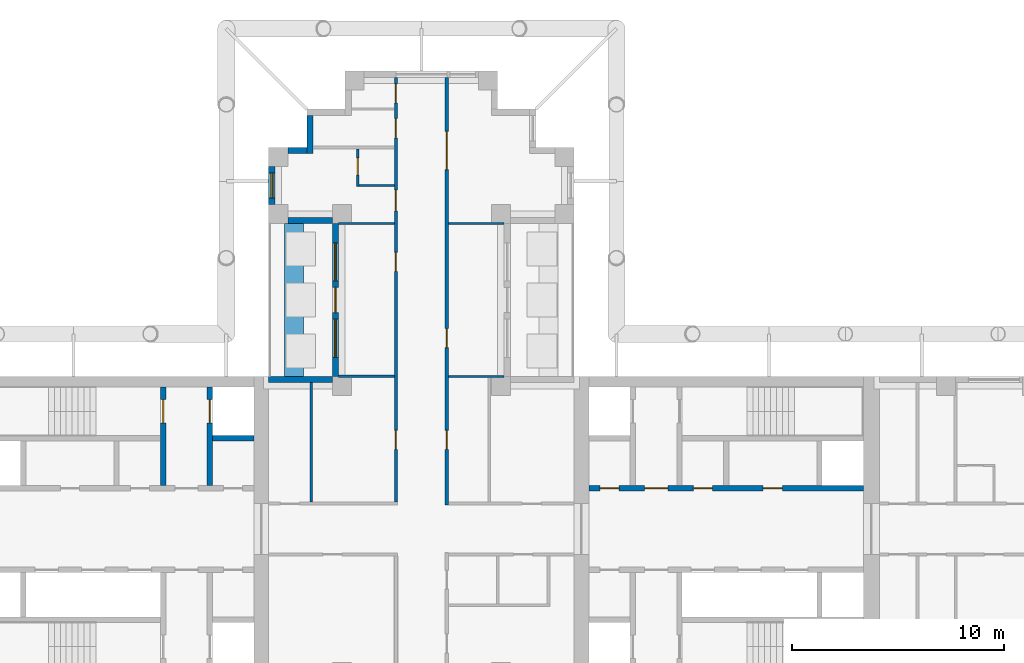
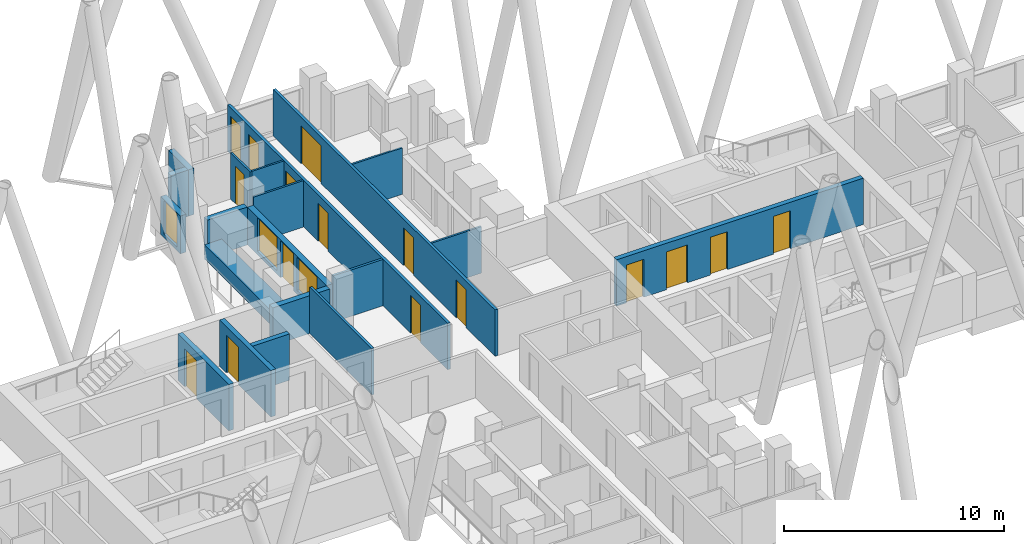
# One storey, part 8 of 14: 20 walls, 16 doors, 3 windows, 19 openings.
"""IFC4 building model written with IfcOpenShell, lengths in metres."""

from ifc_helpers import new_model, si_unit, direction, frame, frame_2d, origin, place, context, subcontext, project, spatial, rectangle, extrude, material, layer, layer_set, type_object, element, fill, save


model = new_model("IFC4")

# Units and contexts
model_context = context("Model", 3, precision=1e-05, world=origin(), true_north=direction((0.0, 1.0)))
body_context = subcontext(model_context, "Body", "Model", "MODEL_VIEW")
ifc_project = project(units=[si_unit("LENGTHUNIT", "METRE"), si_unit("AREAUNIT", "SQUARE_METRE"), si_unit("VOLUMEUNIT", "CUBIC_METRE"), si_unit("PLANEANGLEUNIT", "RADIAN"), si_unit("MASSUNIT", "GRAM", prefix="KILO")], contexts=[model_context])

# Site, building, storey
site_placement = place(None, origin())
site = spatial("IfcSite", under=ifc_project, at=site_placement, CompositionType="ELEMENT")
building_placement = place(site_placement, origin())
building = spatial("IfcBuilding", under=site, at=building_placement, Name="Fustian Cross Tower", CompositionType="ELEMENT")
storey_placement = place(building_placement, frame((0.0, 0.0, 78.89990234375)))
storey = spatial("IfcBuildingStorey", under=building, at=storey_placement, Name="L24", CompositionType="ELEMENT", Elevation=78.89990234375)

# Wall, openings, doors
ifc_material_1 = material(Name="Plasterboard on steel stud", Category="steel")
ifc_layer_1 = layer(ifc_material_1, 0.14990234375)
ifc_layer_set_1 = layer_set([ifc_layer_1], Name="Plasterboard on steel stud")
wall_type_1 = type_object("IfcWallType", Name="COMPARTMENT WALL 150 EI 60", PredefinedType="PARTITIONING", material=ifc_layer_set_1)
wall_1_placement = place(storey_placement, frame((-1.199951171875, 1.27490234375, 0.0), z_axis=(0.0, 0.0, 1.0), x_axis=(0.0, 1.0, 0.0)))
wall_1 = element("IfcWall", 1, at=wall_1_placement, inside=storey, type_object=wall_type_1, Name="Partition 35", PredefinedType="PARTITIONING", context=body_context, shape_type="SweptSolid", body=[
    extrude(rectangle(XDim=20.025146484375, YDim=0.14990234375, at=frame_2d((10.0126953125, 0.0))), origin(), (0.0, 0.0, 1.0), 2.5751953125),
])
opening_1_placement = place(wall_1_placement, frame((2.47509765625, 0.0, 0.0)))
opening_1 = element("IfcOpeningElement", 2, at=opening_1_placement, cuts=wall_1, Name="Opening D12003", PredefinedType="OPENING", context=body_context, shape_type="SweptSolid", body=[
    extrude(rectangle(XDim=0.89990234375, YDim=2.10009765625, at=frame_2d((0.449951171875, 1.050048828125))), frame((0.0, 0.0849609375, 0.0), z_axis=(0.0, -1.0, 0.0), x_axis=(1.0, 0.0, 0.0)), (0.0, 0.0, 1.0), 0.169921875),
])
opening_2_placement = place(wall_1_placement, frame((10.875, 0.0, 0.0)))
opening_2 = element("IfcOpeningElement", 3, at=opening_2_placement, cuts=wall_1, Name="Opening D12021", PredefinedType="OPENING", context=body_context, shape_type="SweptSolid", body=[
    extrude(rectangle(XDim=0.89990234375, YDim=2.10009765625, at=frame_2d((0.449951171875, 1.050048828125))), frame((0.0, 0.0849609375, 0.0), z_axis=(0.0, -1.0, 0.0), x_axis=(1.0, 0.0, 0.0)), (0.0, 0.0, 1.0), 0.169921875),
])
opening_3_placement = place(wall_1_placement, frame((13.72509765625, 0.0, 0.0)))
opening_3 = element("IfcOpeningElement", 4, at=opening_3_placement, cuts=wall_1, Name="Opening D12023", PredefinedType="OPENING", context=body_context, shape_type="SweptSolid", body=[
    extrude(rectangle(XDim=1.0, YDim=2.10009765625, at=frame_2d((0.5, 1.050048828125))), frame((0.0, 0.0849609375, 0.0), z_axis=(0.0, -1.0, 0.0), x_axis=(1.0, 0.0, 0.0)), (0.0, 0.0, 1.0), 0.169921875),
])
opening_4_placement = place(wall_1_placement, frame((17.175048828125, 0.0, 0.0)))
opening_4 = element("IfcOpeningElement", 5, at=opening_4_placement, cuts=wall_1, Name="Opening D12024", PredefinedType="OPENING", context=body_context, shape_type="SweptSolid", body=[
    extrude(rectangle(XDim=0.89990234375, YDim=2.10009765625, at=frame_2d((0.449951171875, 1.050048828125))), frame((0.0, 0.0849609375, 0.0), z_axis=(0.0, -1.0, 0.0), x_axis=(1.0, 0.0, 0.0)), (0.0, 0.0, 1.0), 0.169921875),
])
opening_5_placement = place(wall_1_placement, frame((18.824951171875, 0.0, 0.0)))
opening_5 = element("IfcOpeningElement", 6, at=opening_5_placement, cuts=wall_1, Name="Opening D12025", PredefinedType="OPENING", context=body_context, shape_type="SweptSolid", body=[
    extrude(rectangle(XDim=0.89990234375, YDim=2.10009765625, at=frame_2d((0.449951171875, 1.050048828125))), frame((0.0, 0.0849609375, 0.0), z_axis=(0.0, -1.0, 0.0), x_axis=(1.0, 0.0, 0.0)), (0.0, 0.0, 1.0), 0.169921875),
])
ifc_material_2 = material(Name="Timber fire door set", Category="wood")
door_type_1 = type_object("IfcDoorType", Name="FIRE SWING DOOR 1000 FD30S", OperationType="SINGLE_SWING_LEFT", PredefinedType="DOOR", material=ifc_material_2)
door_1_placement = place(opening_3_placement, origin())
door_1 = element("IfcDoor", 7, at=door_1_placement, inside=storey, type_object=door_type_1, Name="Door D12023", OperationType="SINGLE_SWING_RIGHT", OverallHeight=2.10009765625, OverallWidth=1.0, PredefinedType="DOOR", context=body_context, shape_type="SweptSolid", body=[
    extrude(rectangle(XDim=1.0, YDim=2.10009765625, at=frame_2d((0.5, 1.050048828125))), frame((0.0, 0.02490234375, 0.0), z_axis=(0.0, -1.0, 0.0), x_axis=(1.0, 0.0, 0.0)), (0.0, 0.0, 1.0), 0.050048828125),
])
fill(opening_3, door_1)
ifc_material_3 = material(Name="Timber fire door set", Category="wood")
door_type_2 = type_object("IfcDoorType", Name="FIRE SWING DOOR 900 FD30S", OperationType="SINGLE_SWING_LEFT", PredefinedType="DOOR", material=ifc_material_3)
door_2_placement = place(opening_1_placement, origin())
door_2 = element("IfcDoor", 8, at=door_2_placement, inside=storey, type_object=door_type_2, Name="Door D12003", OperationType="SINGLE_SWING_LEFT", OverallHeight=2.10009765625, OverallWidth=0.89990234375, PredefinedType="DOOR", context=body_context, shape_type="SweptSolid", body=[
    extrude(rectangle(XDim=0.89990234375, YDim=2.10009765625, at=frame_2d((0.449951171875, 1.050048828125))), frame((0.0, 0.02490234375, 0.0), z_axis=(0.0, -1.0, 0.0), x_axis=(1.0, 0.0, 0.0)), (0.0, 0.0, 1.0), 0.050048828125),
])
fill(opening_1, door_2)
door_3_placement = place(opening_2_placement, origin())
door_3 = element("IfcDoor", 9, at=door_3_placement, inside=storey, type_object=door_type_2, Name="Door D12021", OperationType="SINGLE_SWING_RIGHT", OverallHeight=2.10009765625, OverallWidth=0.89990234375, PredefinedType="DOOR", context=body_context, shape_type="SweptSolid", body=[
    extrude(rectangle(XDim=0.89990234375, YDim=2.10009765625, at=frame_2d((0.449951171875, 1.050048828125))), frame((0.0, 0.02490234375, 0.0), z_axis=(0.0, -1.0, 0.0), x_axis=(1.0, 0.0, 0.0)), (0.0, 0.0, 1.0), 0.050048828125),
])
fill(opening_2, door_3)
door_4_placement = place(opening_4_placement, origin())
door_4 = element("IfcDoor", 10, at=door_4_placement, inside=storey, type_object=door_type_2, Name="Door D12024", OperationType="SINGLE_SWING_RIGHT", OverallHeight=2.10009765625, OverallWidth=0.89990234375, PredefinedType="DOOR", context=body_context, shape_type="SweptSolid", body=[
    extrude(rectangle(XDim=0.89990234375, YDim=2.10009765625, at=frame_2d((0.449951171875, 1.050048828125))), frame((0.0, 0.02490234375, 0.0), z_axis=(0.0, -1.0, 0.0), x_axis=(1.0, 0.0, 0.0)), (0.0, 0.0, 1.0), 0.050048828125),
])
fill(opening_4, door_4)
door_5_placement = place(opening_5_placement, origin())
door_5 = element("IfcDoor", 11, at=door_5_placement, inside=storey, type_object=door_type_2, Name="Door D12025", OperationType="SINGLE_SWING_LEFT", OverallHeight=2.10009765625, OverallWidth=0.89990234375, PredefinedType="DOOR", context=body_context, shape_type="SweptSolid", body=[
    extrude(rectangle(XDim=0.89990234375, YDim=2.10009765625, at=frame_2d((0.449951171875, 1.050048828125))), frame((0.0, 0.02490234375, 0.0), z_axis=(0.0, -1.0, 0.0), x_axis=(1.0, 0.0, 0.0)), (0.0, 0.0, 1.0), 0.050048828125),
])
fill(opening_5, door_5)

wall_2_placement = place(storey_placement, frame((1.199951171875, 1.125, 0.0), z_axis=(0.0, 0.0, 1.0), x_axis=(0.0, 1.0, 0.0)))
wall_2 = element("IfcWall", 12, at=wall_2_placement, inside=storey, type_object=wall_type_1, Name="Partition 46", PredefinedType="PARTITIONING", context=body_context, shape_type="SweptSolid", body=[
    extrude(rectangle(XDim=20.175048828125, YDim=0.14990234375, at=frame_2d((10.08740234375, 0.0))), origin(), (0.0, 0.0, 1.0), 2.5751953125),
])
opening_6_placement = place(wall_2_placement, frame((2.625, 0.0, 0.0)))
opening_6 = element("IfcOpeningElement", 13, at=opening_6_placement, cuts=wall_2, Name="Opening D12001", PredefinedType="OPENING", context=body_context, shape_type="SweptSolid", body=[
    extrude(rectangle(XDim=0.89990234375, YDim=2.10009765625, at=frame_2d((0.449951171875, 1.050048828125))), frame((0.0, 0.0849609375, 0.0), z_axis=(0.0, -1.0, 0.0), x_axis=(1.0, 0.0, 0.0)), (0.0, 0.0, 1.0), 0.169921875),
])
opening_7_placement = place(wall_2_placement, frame((7.425048828125, 0.0, 0.0)))
opening_7 = element("IfcOpeningElement", 14, at=opening_7_placement, cuts=wall_2, Name="Opening D12026", PredefinedType="OPENING", context=body_context, shape_type="SweptSolid", body=[
    extrude(rectangle(XDim=0.89990234375, YDim=2.10009765625, at=frame_2d((0.449951171875, 1.050048828125))), frame((0.0, 0.0849609375, 0.0), z_axis=(0.0, -1.0, 0.0), x_axis=(1.0, 0.0, 0.0)), (0.0, 0.0, 1.0), 0.169921875),
])
opening_8_placement = place(wall_2_placement, frame((15.824951171875, 0.0, 0.0)))
opening_8 = element("IfcOpeningElement", 15, at=opening_8_placement, cuts=wall_2, Name="Opening D12027", PredefinedType="OPENING", context=body_context, shape_type="SweptSolid", body=[
    extrude(rectangle(XDim=1.800048828125, YDim=2.10009765625, at=frame_2d((0.89990234375, 1.050048828125))), frame((0.0, 0.0849609375, 0.0), z_axis=(0.0, -1.0, 0.0), x_axis=(1.0, 0.0, 0.0)), (0.0, 0.0, 1.0), 0.169921875),
])
ifc_material_4 = material(Name="Timber fire door set", Category="wood")
door_type_3 = type_object("IfcDoorType", Name="FIRE DOUBLE DOOR 1800 FD30S", OperationType="DOUBLE_DOOR_DOUBLE_SWING", PredefinedType="DOOR", material=ifc_material_4)
door_6_placement = place(opening_8_placement, origin())
door_6 = element("IfcDoor", 16, at=door_6_placement, inside=storey, type_object=door_type_3, Name="Door D12027", OperationType="DOUBLE_DOOR_DOUBLE_SWING", OverallHeight=2.10009765625, OverallWidth=1.800048828125, PredefinedType="DOOR", context=body_context, shape_type="SweptSolid", body=[
    extrude(rectangle(XDim=1.800048828125, YDim=2.10009765625, at=frame_2d((0.89990234375, 1.050048828125))), frame((0.0, 0.02490234375, 0.0), z_axis=(0.0, -1.0, 0.0), x_axis=(1.0, 0.0, 0.0)), (0.0, 0.0, 1.0), 0.050048828125),
])
fill(opening_8, door_6)
door_7_placement = place(opening_6_placement, frame((0.89990234375, 0.0, 0.0), z_axis=(0.0, 0.0, 1.0), x_axis=(-1.0, 0.0, 0.0)))
door_7 = element("IfcDoor", 17, at=door_7_placement, inside=storey, type_object=door_type_2, Name="Door D12001", OperationType="SINGLE_SWING_RIGHT", OverallHeight=2.10009765625, OverallWidth=0.89990234375, PredefinedType="DOOR", context=body_context, shape_type="SweptSolid", body=[
    extrude(rectangle(XDim=0.89990234375, YDim=2.10009765625, at=frame_2d((0.449951171875, 1.050048828125))), frame((0.0, 0.02490234375, 0.0), z_axis=(0.0, -1.0, 0.0), x_axis=(1.0, 0.0, 0.0)), (0.0, 0.0, 1.0), 0.050048828125),
])
fill(opening_6, door_7)
door_8_placement = place(opening_7_placement, frame((0.89990234375, 0.0, 0.0), z_axis=(0.0, 0.0, 1.0), x_axis=(-1.0, 0.0, 0.0)))
door_8 = element("IfcDoor", 18, at=door_8_placement, inside=storey, type_object=door_type_2, Name="Door D12026", OperationType="SINGLE_SWING_RIGHT", OverallHeight=2.10009765625, OverallWidth=0.89990234375, PredefinedType="DOOR", context=body_context, shape_type="SweptSolid", body=[
    extrude(rectangle(XDim=0.89990234375, YDim=2.10009765625, at=frame_2d((0.449951171875, 1.050048828125))), frame((0.0, 0.02490234375, 0.0), z_axis=(0.0, -1.0, 0.0), x_axis=(1.0, 0.0, 0.0)), (0.0, 0.0, 1.0), 0.050048828125),
])
fill(opening_7, door_8)

ifc_material_5 = material(Name="Concrete C50/60", Category="concrete")
ifc_layer_2 = layer(ifc_material_5, 0.25)
ifc_layer_set_2 = layer_set([ifc_layer_2], Name="Concrete C50/60")
wall_type_2 = type_object("IfcWallType", Name="CORE LOBBY WALL 250 C50/60", PredefinedType="SHEAR", material=ifc_layer_set_2)
wall_3_placement = place(storey_placement, frame((7.89990234375, 1.925048828125, 0.0), z_axis=(0.0, 0.0, 1.0), x_axis=(1.0, 0.0, 0.0)))
wall_3 = element("IfcWall", 19, at=wall_3_placement, inside=storey, type_object=wall_type_2, Name="Core lobby wall", PredefinedType="SHEAR", context=body_context, shape_type="SweptSolid", body=[
    extrude(rectangle(XDim=12.9501953125, YDim=0.25, at=frame_2d((6.47509765625, 0.0))), origin(), (0.0, 0.0, 1.0), 2.5751953125),
])
opening_9_placement = place(wall_3_placement, frame((0.52490234375, 0.0, 0.0)))
opening_9 = element("IfcOpeningElement", 20, at=opening_9_placement, cuts=wall_3, Name="Opening CD-10-08", PredefinedType="OPENING", context=body_context, shape_type="SweptSolid", body=[
    extrude(rectangle(XDim=0.89990234375, YDim=2.10009765625, at=frame_2d((0.449951171875, 1.050048828125))), frame((0.0, 0.135009765625, 0.0), z_axis=(0.0, -1.0, 0.0), x_axis=(1.0, 0.0, 0.0)), (0.0, 0.0, 1.0), 0.27001953125),
])
opening_10_placement = place(wall_3_placement, frame((2.625, 0.0, 0.0)))
opening_10 = element("IfcOpeningElement", 21, at=opening_10_placement, cuts=wall_3, Name="Opening CD-10-10", PredefinedType="OPENING", context=body_context, shape_type="SweptSolid", body=[
    extrude(rectangle(XDim=1.10009765625, YDim=2.10009765625, at=frame_2d((0.550048828125, 1.050048828125))), frame((0.0, 0.135009765625, 0.0), z_axis=(0.0, -1.0, 0.0), x_axis=(1.0, 0.0, 0.0)), (0.0, 0.0, 1.0), 0.27001953125),
])
opening_11_placement = place(wall_3_placement, frame((4.925048828125, 0.0, 0.0)))
opening_11 = element("IfcOpeningElement", 22, at=opening_11_placement, cuts=wall_3, Name="Opening CD-10-14", PredefinedType="OPENING", context=body_context, shape_type="SweptSolid", body=[
    extrude(rectangle(XDim=0.89990234375, YDim=2.10009765625, at=frame_2d((0.449951171875, 1.050048828125))), frame((0.0, 0.135009765625, 0.0), z_axis=(0.0, -1.0, 0.0), x_axis=(1.0, 0.0, 0.0)), (0.0, 0.0, 1.0), 0.27001953125),
])
opening_12_placement = place(wall_3_placement, frame((8.22509765625, 0.0, 0.0)))
opening_12 = element("IfcOpeningElement", 23, at=opening_12_placement, cuts=wall_3, Name="Opening CD-10-15", PredefinedType="OPENING", context=body_context, shape_type="SweptSolid", body=[
    extrude(rectangle(XDim=0.89990234375, YDim=2.10009765625, at=frame_2d((0.449951171875, 1.050048828125))), frame((0.0, 0.135009765625, 0.0), z_axis=(0.0, -1.0, 0.0), x_axis=(1.0, 0.0, 0.0)), (0.0, 0.0, 1.0), 0.27001953125),
])
ifc_material_6 = material(Name="Steel", Category="steel")
door_type_4 = type_object("IfcDoorType", Name="FIRE DOOR FD30S 900X2100", OperationType="SINGLE_SWING_LEFT", PredefinedType="DOOR", material=ifc_material_6)
door_9_placement = place(opening_11_placement, origin())
door_9 = element("IfcDoor", 24, at=door_9_placement, inside=storey, type_object=door_type_4, Name="Core door CD-10-14", OperationType="SINGLE_SWING_LEFT", OverallHeight=2.10009765625, OverallWidth=0.89990234375, PredefinedType="DOOR", context=body_context, shape_type="SweptSolid", body=[
    extrude(rectangle(XDim=0.89990234375, YDim=2.10009765625, at=frame_2d((0.449951171875, 1.050048828125))), frame((0.0, 0.02490234375, 0.0), z_axis=(0.0, -1.0, 0.0), x_axis=(1.0, 0.0, 0.0)), (0.0, 0.0, 1.0), 0.050048828125),
])
fill(opening_11, door_9)
door_10_placement = place(opening_12_placement, origin())
door_10 = element("IfcDoor", 25, at=door_10_placement, inside=storey, type_object=door_type_4, Name="Core door CD-10-15", OperationType="SINGLE_SWING_RIGHT", OverallHeight=2.10009765625, OverallWidth=0.89990234375, PredefinedType="DOOR", context=body_context, shape_type="SweptSolid", body=[
    extrude(rectangle(XDim=0.89990234375, YDim=2.10009765625, at=frame_2d((0.449951171875, 1.050048828125))), frame((0.0, 0.02490234375, 0.0), z_axis=(0.0, -1.0, 0.0), x_axis=(1.0, 0.0, 0.0)), (0.0, 0.0, 1.0), 0.050048828125),
])
fill(opening_12, door_10)
ifc_material_7 = material(Name="Steel", Category="steel")
door_type_5 = type_object("IfcDoorType", Name="FIRE DOOR FD60S 1100X2100", OperationType="SINGLE_SWING_LEFT", PredefinedType="DOOR", material=ifc_material_7)
door_11_placement = place(opening_10_placement, frame((1.10009765625, 0.0, 0.0), z_axis=(0.0, 0.0, 1.0), x_axis=(-1.0, 0.0, 0.0)))
door_11 = element("IfcDoor", 26, at=door_11_placement, inside=storey, type_object=door_type_5, Name="Core door CD-10-10", OperationType="SINGLE_SWING_RIGHT", OverallHeight=2.10009765625, OverallWidth=1.10009765625, PredefinedType="DOOR", context=body_context, shape_type="SweptSolid", body=[
    extrude(rectangle(XDim=1.10009765625, YDim=2.10009765625, at=frame_2d((0.550048828125, 1.050048828125))), frame((0.0, 0.02490234375, 0.0), z_axis=(0.0, -1.0, 0.0), x_axis=(1.0, 0.0, 0.0)), (0.0, 0.0, 1.0), 0.050048828125),
])
fill(opening_10, door_11)
ifc_material_8 = material(Name="Steel", Category="steel")
door_type_6 = type_object("IfcDoorType", Name="FIRE DOOR FD60S 900X2100", OperationType="SINGLE_SWING_LEFT", PredefinedType="DOOR", material=ifc_material_8)
door_12_placement = place(opening_9_placement, origin())
door_12 = element("IfcDoor", 27, at=door_12_placement, inside=storey, type_object=door_type_6, Name="Core door CD-10-08", OperationType="SINGLE_SWING_LEFT", OverallHeight=2.10009765625, OverallWidth=0.89990234375, PredefinedType="DOOR", context=body_context, shape_type="SweptSolid", body=[
    extrude(rectangle(XDim=0.89990234375, YDim=2.10009765625, at=frame_2d((0.449951171875, 1.050048828125))), frame((0.0, 0.02490234375, 0.0), z_axis=(0.0, -1.0, 0.0), x_axis=(1.0, 0.0, 0.0)), (0.0, 0.0, 1.0), 0.050048828125),
])
fill(opening_9, door_12)

# Wall
ifc_material_9 = material(Name="Concrete C50/60", Category="concrete")
ifc_layer_3 = layer(ifc_material_9, 0.25)
ifc_layer_set_3 = layer_set([ifc_layer_3], Name="Concrete C50/60")
wall_type_3 = type_object("IfcWallType", Name="CORE SHAFT WALL 250 C50/60", PredefinedType="SHEAR", material=ifc_layer_set_3)
wall_4_placement = place(storey_placement, frame((-7.89990234375, 4.27490234375, 0.0), z_axis=(0.0, 0.0, 1.0), x_axis=(-1.0, 0.0, 0.0)))
element("IfcWall", 28, at=wall_4_placement, inside=storey, type_object=wall_type_3, Name="Core shaft wall", PredefinedType="SHEAR", context=body_context, shape_type="SweptSolid", body=[
    extrude(rectangle(XDim=1.9501953125, YDim=0.25, at=frame_2d((0.97509765625, 0.0))), origin(), (0.0, 0.0, 1.0), 2.5751953125),
])

# Wall, opening, door
wall_5_placement = place(storey_placement, frame((-9.97509765625, 2.050048828125, 0.0), z_axis=(0.0, 0.0, 1.0), x_axis=(0.0, 1.0, 0.0)))
wall_5 = element("IfcWall", 29, at=wall_5_placement, inside=storey, type_object=wall_type_3, Name="Core shaft wall", PredefinedType="SHEAR", context=body_context, shape_type="SweptSolid", body=[
    extrude(rectangle(XDim=4.64990234375, YDim=0.25, at=frame_2d((2.324951171875, 0.0))), origin(), (0.0, 0.0, 1.0), 2.5751953125),
])
opening_13_placement = place(wall_5_placement, frame((2.949951171875, 0.0, 0.0)))
opening_13 = element("IfcOpeningElement", 30, at=opening_13_placement, cuts=wall_5, Name="Opening LD", PredefinedType="OPENING", context=body_context, shape_type="SweptSolid", body=[
    extrude(rectangle(XDim=1.10009765625, YDim=2.10009765625, at=frame_2d((0.550048828125, 1.050048828125))), frame((0.0, 0.135009765625, 0.0), z_axis=(0.0, -1.0, 0.0), x_axis=(1.0, 0.0, 0.0)), (0.0, 0.0, 1.0), 0.27001953125),
])
ifc_material_10 = material(Name="Stainless steel", Category="steel")
door_type_7 = type_object("IfcDoorType", Name="LIFT LANDING DOOR 1100X2100", OperationType="SLIDING_TO_LEFT", PredefinedType="DOOR", material=ifc_material_10)
door_13_placement = place(opening_13_placement, origin())
door_13 = element("IfcDoor", 31, at=door_13_placement, inside=storey, type_object=door_type_7, Name="Landing door FL1W", OperationType="SLIDING_TO_LEFT", OverallHeight=2.10009765625, OverallWidth=1.10009765625, PredefinedType="DOOR", context=body_context, shape_type="SweptSolid", body=[
    extrude(rectangle(XDim=1.10009765625, YDim=2.10009765625, at=frame_2d((0.550048828125, 1.050048828125))), frame((0.0, 0.02490234375, 0.0), z_axis=(0.0, -1.0, 0.0), x_axis=(1.0, 0.0, 0.0)), (0.0, 0.0, 1.0), 0.050048828125),
])
fill(opening_13, door_13)

wall_6_placement = place(storey_placement, frame((-12.175048828125, 2.050048828125, 0.0), z_axis=(0.0, 0.0, 1.0), x_axis=(0.0, 1.0, 0.0)))
wall_6 = element("IfcWall", 32, at=wall_6_placement, inside=storey, type_object=wall_type_3, Name="Core shaft wall", PredefinedType="SHEAR", context=body_context, shape_type="SweptSolid", body=[
    extrude(rectangle(XDim=4.64990234375, YDim=0.25, at=frame_2d((2.324951171875, 0.0))), origin(), (0.0, 0.0, 1.0), 2.5751953125),
])
opening_14_placement = place(wall_6_placement, frame((2.949951171875, 0.0, 0.0)))
opening_14 = element("IfcOpeningElement", 33, at=opening_14_placement, cuts=wall_6, Name="Opening CD-10-21", PredefinedType="OPENING", context=body_context, shape_type="SweptSolid", body=[
    extrude(rectangle(XDim=1.10009765625, YDim=2.10009765625, at=frame_2d((0.550048828125, 1.050048828125))), frame((0.0, 0.135009765625, 0.0), z_axis=(0.0, -1.0, 0.0), x_axis=(1.0, 0.0, 0.0)), (0.0, 0.0, 1.0), 0.27001953125),
])
door_14_placement = place(opening_14_placement, origin())
door_14 = element("IfcDoor", 34, at=door_14_placement, inside=storey, type_object=door_type_5, Name="Core door CD-10-21", OperationType="SINGLE_SWING_LEFT", OverallHeight=2.10009765625, OverallWidth=1.10009765625, PredefinedType="DOOR", context=body_context, shape_type="SweptSolid", body=[
    extrude(rectangle(XDim=1.10009765625, YDim=2.10009765625, at=frame_2d((0.550048828125, 1.050048828125))), frame((0.0, 0.02490234375, 0.0), z_axis=(0.0, -1.0, 0.0), x_axis=(1.0, 0.0, 0.0)), (0.0, 0.0, 1.0), 0.050048828125),
])
fill(opening_14, door_14)

# Wall
ifc_material_11 = material(Name="Plasterboard on steel stud", Category="steel")
ifc_layer_4 = layer(ifc_material_11, 0.10009765625)
ifc_layer_set_4 = layer_set([ifc_layer_4], Name="Plasterboard on steel stud")
wall_type_4 = type_object("IfcWallType", Name="PARTITION 100 STUD", PredefinedType="PARTITIONING", material=ifc_layer_set_4)
wall_7_placement = place(storey_placement, frame((-3.89990234375, 14.39990234375, 0.0), z_axis=(0.0, 0.0, 1.0), x_axis=(1.0, 0.0, 0.0)))
element("IfcWall", 35, at=wall_7_placement, inside=storey, type_object=wall_type_4, Name="Partition 29", PredefinedType="PARTITIONING", context=body_context, shape_type="SweptSolid", body=[
    extrude(rectangle(XDim=2.625, YDim=0.10009765625, at=frame_2d((1.3125, 0.0))), origin(), (0.0, 0.0, 1.0), 2.5751953125),
])

# Wall, opening, door
wall_8_placement = place(storey_placement, frame((-3.0, 16.14990234375, 0.0), z_axis=(0.0, 0.0, 1.0), x_axis=(0.0, 1.0, 0.0)))
wall_8 = element("IfcWall", 36, at=wall_8_placement, inside=storey, type_object=wall_type_4, Name="Partition 31", PredefinedType="PARTITIONING", context=body_context, shape_type="SweptSolid", body=[
    extrude(rectangle(XDim=1.775146484375, YDim=0.10009765625, at=frame_2d((0.8876953125, 0.0))), origin(), (0.0, 0.0, 1.0), 2.5751953125),
])
opening_15_placement = place(wall_8_placement, frame((0.550048828125, 0.0, 0.0)))
opening_15 = element("IfcOpeningElement", 37, at=opening_15_placement, cuts=wall_8, Name="Opening D12022", PredefinedType="OPENING", context=body_context, shape_type="SweptSolid", body=[
    extrude(rectangle(XDim=0.800048828125, YDim=2.10009765625, at=frame_2d((0.39990234375, 1.050048828125))), frame((0.0, 0.06005859375, 0.0), z_axis=(0.0, -1.0, 0.0), x_axis=(1.0, 0.0, 0.0)), (0.0, 0.0, 1.0), 0.1201171875),
])
ifc_material_12 = material(Name="Painted timber", Category="wood")
door_type_8 = type_object("IfcDoorType", Name="SWING DOOR 800", OperationType="SINGLE_SWING_LEFT", PredefinedType="DOOR", material=ifc_material_12)
door_15_placement = place(opening_15_placement, frame((0.800048828125, 0.0, 0.0), z_axis=(0.0, 0.0, 1.0), x_axis=(-1.0, 0.0, 0.0)))
door_15 = element("IfcDoor", 38, at=door_15_placement, inside=storey, type_object=door_type_8, Name="Door D12022", OperationType="SINGLE_SWING_LEFT", OverallHeight=2.10009765625, OverallWidth=0.800048828125, PredefinedType="DOOR", context=body_context, shape_type="SweptSolid", body=[
    extrude(rectangle(XDim=0.800048828125, YDim=2.10009765625, at=frame_2d((0.39990234375, 1.050048828125))), frame((0.0, 0.02490234375, 0.0), z_axis=(0.0, -1.0, 0.0), x_axis=(1.0, 0.0, 0.0)), (0.0, 0.0, 1.0), 0.050048828125),
])
fill(opening_15, door_15)

# Walls
wall_9_placement = place(storey_placement, frame((-2.949951171875, 16.199951171875, 0.0), z_axis=(0.0, 0.0, 1.0), x_axis=(1.0, 0.0, 0.0)))
element("IfcWall", 39, at=wall_9_placement, inside=storey, type_object=wall_type_4, Name="Partition 32", PredefinedType="PARTITIONING", context=body_context, shape_type="SweptSolid", body=[
    extrude(rectangle(XDim=1.675048828125, YDim=0.10009765625, at=frame_2d((0.83740234375, 0.0))), origin(), (0.0, 0.0, 1.0), 2.5751953125),
])
for number, where, z_axis, x_axis, name in (
    (40, (1.27490234375, 7.199951171875, 0.0), (0.0, 0.0, 1.0), (1.0, 0.0, 0.0), "Partition 48"),
    (41, (1.27490234375, 14.39990234375, 0.0), (0.0, 0.0, 1.0), (1.0, 0.0, 0.0), "Partition 49"),
):
    element("IfcWall", number, at=place(storey_placement, frame(where, z_axis=z_axis, x_axis=x_axis)), inside=storey, type_object=wall_type_4, Name=name, PredefinedType="PARTITIONING", context=body_context, shape_type="SweptSolid", body=[
        extrude(rectangle(XDim=2.625, YDim=0.10009765625, at=frame_2d((1.3125, 0.0))), origin(), (0.0, 0.0, 1.0), 2.5751953125),
    ])
ifc_material_13 = material(Name="Concrete C40/50", Category="concrete")
ifc_layer_5 = layer(ifc_material_13, 0.89990234375)
ifc_layer_set_5 = layer_set([ifc_layer_5], Name="Concrete C40/50")
wall_type_5 = type_object("IfcWallType", Name="PK1 PLANTER 900", PredefinedType="PARAPET", material=ifc_layer_set_5)
wall_10_placement = place(storey_placement, frame((-6.0, 7.199951171875, 0.0), z_axis=(0.0, 0.0, 1.0), x_axis=(0.0, 1.0, 0.0)))
element("IfcWall", 42, at=wall_10_placement, inside=storey, type_object=wall_type_5, Name="PLANTER", PredefinedType="PARAPET", context=body_context, shape_type="SweptSolid", body=[
    extrude(rectangle(XDim=7.199951171875, YDim=0.89990234375, at=frame_2d((3.60009765625, 0.0))), origin(), (0.0, 0.0, 1.0), 0.800048828125),
])
ifc_material_14 = material(Name="Plasterboard on steel stud", Category="steel")
ifc_layer_6 = layer(ifc_material_14, 0.125)
ifc_layer_set_6 = layer_set([ifc_layer_6], Name="Plasterboard on steel stud")
wall_type_6 = type_object("IfcWallType", Name="WET WALL 125 STUD", PredefinedType="PARTITIONING", material=ifc_layer_set_6)
wall_11_placement = place(storey_placement, frame((-5.199951171875, 1.27490234375, 0.0), z_axis=(0.0, 0.0, 1.0), x_axis=(0.0, 1.0, 0.0)))
element("IfcWall", 43, at=wall_11_placement, inside=storey, type_object=wall_type_6, Name="Partition 19", PredefinedType="PARTITIONING", context=body_context, shape_type="SweptSolid", body=[
    extrude(rectangle(XDim=5.625, YDim=0.125, at=frame_2d((2.8125, 0.0))), origin(), (0.0, 0.0, 1.0), 2.5751953125),
])
wall_12_placement = place(storey_placement, frame((-3.89990234375, 7.199951171875, 0.0), z_axis=(0.0, 0.0, 1.0), x_axis=(1.0, 0.0, 0.0)))
element("IfcWall", 44, at=wall_12_placement, inside=storey, type_object=wall_type_6, Name="Partition 28", PredefinedType="PARTITIONING", context=body_context, shape_type="SweptSolid", body=[
    extrude(rectangle(XDim=2.625, YDim=0.125, at=frame_2d((1.3125, 0.0))), origin(), (0.0, 0.0, 1.0), 2.5751953125),
])
ifc_material_15 = material(Name="Dark aluminium cladding on insulated backing wall", Category="aluminium")
ifc_layer_7 = layer(ifc_material_15, 0.300048828125)
ifc_layer_set_7 = layer_set([ifc_layer_7], Name="Dark aluminium cladding on insulated backing wall")
wall_type_7 = type_object("IfcWallType", Name="XW1 EXTERNAL WALL 300", PredefinedType="SOLIDWALL", material=ifc_layer_set_7)
wall_13_placement = place(storey_placement, frame((-5.25, 19.5, 0.0), z_axis=(0.0, 0.0, 1.0), x_axis=(0.0, -1.0, 0.0)))
element("IfcWall", 45, at=wall_13_placement, inside=storey, type_object=wall_type_7, Name="External wall", PredefinedType="SOLIDWALL", context=body_context, shape_type="SweptSolid", body=[
    extrude(rectangle(XDim=1.800048828125, YDim=0.300048828125, at=frame_2d((0.89990234375, 0.0))), origin(), (0.0, 0.0, 1.0), 2.5751953125),
])
wall_14_placement = place(storey_placement, frame((-5.39990234375, 17.85009765625, 0.0), z_axis=(0.0, 0.0, 1.0), x_axis=(-1.0, 0.0, 0.0)))
element("IfcWall", 46, at=wall_14_placement, inside=storey, type_object=wall_type_7, Name="External wall", PredefinedType="SOLIDWALL", context=body_context, shape_type="SweptSolid", body=[
    extrude(rectangle(XDim=0.900146484375, YDim=0.300048828125, at=frame_2d((0.4501953125, 0.0))), origin(), (0.0, 0.0, 1.0), 2.5751953125),
])

# Wall, opening, window
wall_15_placement = place(storey_placement, frame((-7.050048828125, 17.10009765625, 0.0), z_axis=(0.0, 0.0, 1.0), x_axis=(0.0, -1.0, 0.0)))
wall_15 = element("IfcWall", 47, at=wall_15_placement, inside=storey, type_object=wall_type_7, Name="External wall", PredefinedType="SOLIDWALL", context=body_context, shape_type="SweptSolid", body=[
    extrude(rectangle(XDim=1.800048828125, YDim=0.300048828125, at=frame_2d((0.89990234375, 0.0))), origin(), (0.0, 0.0, 1.0), 2.10009765625),
])
opening_16_placement = place(wall_15_placement, frame((0.300048828125, 0.0, 0.199951171875)))
opening_16 = element("IfcOpeningElement", 48, at=opening_16_placement, cuts=wall_15, Name="Opening WN3", PredefinedType="OPENING", context=body_context, shape_type="SweptSolid", body=[
    extrude(rectangle(XDim=1.199951171875, YDim=1.85009765625, at=frame_2d((0.60009765625, 0.925048828125))), frame((0.0, 0.159912109375, 0.0), z_axis=(0.0, -1.0, 0.0), x_axis=(1.0, 0.0, 0.0)), (0.0, 0.0, 1.0), 0.320068359375),
])
ifc_material_16 = material(Name="Dark anodised aluminium and double glazing", Category="aluminium")
window_type_1 = type_object("IfcWindowType", Name="WN3 WINDOW 1200X1850", PartitioningType="SINGLE_PANEL", PredefinedType="WINDOW", material=ifc_material_16)
window_1_placement = place(opening_16_placement, origin())
window_1 = element("IfcWindow", 49, at=window_1_placement, inside=storey, type_object=window_type_1, Name="Window", OverallHeight=1.85009765625, OverallWidth=1.199951171875, PartitioningType="SINGLE_PANEL", PredefinedType="WINDOW", context=body_context, shape_type="SweptSolid", body=[
    extrude(rectangle(XDim=1.199951171875, YDim=1.85009765625, at=frame_2d((0.60009765625, 0.925048828125))), frame((0.0, 0.030029296875, 0.0), z_axis=(0.0, -1.0, 0.0), x_axis=(1.0, 0.0, 0.0)), (0.0, 0.0, 1.0), 0.06005859375),
])
fill(opening_16, window_1)

# Wall
wall_16_placement = place(storey_placement, frame((-6.300048828125, 14.550048828125, 0.0), z_axis=(0.0, 0.0, 1.0), x_axis=(1.0, 0.0, 0.0)))
element("IfcWall", 50, at=wall_16_placement, inside=storey, type_object=wall_type_7, Name="External wall", PredefinedType="SOLIDWALL", context=body_context, shape_type="SweptSolid", body=[
    extrude(rectangle(XDim=2.10009765625, YDim=0.300048828125, at=frame_2d((1.050048828125, 0.0))), origin(), (0.0, 0.0, 1.0), 2.10009765625),
])

# Wall, openings, door, windows
wall_17_placement = place(storey_placement, frame((-4.050048828125, 14.39990234375, 0.0), z_axis=(0.0, 0.0, 1.0), x_axis=(0.0, -1.0, 0.0)))
wall_17 = element("IfcWall", 51, at=wall_17_placement, inside=storey, type_object=wall_type_7, Name="External wall", PredefinedType="SOLIDWALL", context=body_context, shape_type="SweptSolid", body=[
    extrude(rectangle(XDim=7.199951171875, YDim=0.300048828125, at=frame_2d((3.60009765625, 0.0))), origin(), (0.0, 0.0, 1.0), 2.10009765625),
])
opening_17_placement = place(wall_17_placement, frame((3.0, 0.0, 0.0)))
opening_17 = element("IfcOpeningElement", 52, at=opening_17_placement, cuts=wall_17, Name="Opening XD2", PredefinedType="OPENING", context=body_context, shape_type="SweptSolid", body=[
    extrude(rectangle(XDim=1.199951171875, YDim=2.050048828125, at=frame_2d((0.60009765625, 1.02490234375))), frame((0.0, 0.159912109375, 0.0), z_axis=(0.0, -1.0, 0.0), x_axis=(1.0, 0.0, 0.0)), (0.0, 0.0, 1.0), 0.320068359375),
])
opening_18_placement = place(wall_17_placement, frame((0.89990234375, 0.0, 0.199951171875)))
opening_18 = element("IfcOpeningElement", 53, at=opening_18_placement, cuts=wall_17, Name="Opening WN2", PredefinedType="OPENING", context=body_context, shape_type="SweptSolid", body=[
    extrude(rectangle(XDim=1.800048828125, YDim=1.85009765625, at=frame_2d((0.89990234375, 0.925048828125))), frame((0.0, 0.159912109375, 0.0), z_axis=(0.0, -1.0, 0.0), x_axis=(1.0, 0.0, 0.0)), (0.0, 0.0, 1.0), 0.320068359375),
])
opening_19_placement = place(wall_17_placement, frame((4.5, 0.0, 0.199951171875)))
opening_19 = element("IfcOpeningElement", 54, at=opening_19_placement, cuts=wall_17, Name="Opening WN2", PredefinedType="OPENING", context=body_context, shape_type="SweptSolid", body=[
    extrude(rectangle(XDim=1.800048828125, YDim=1.85009765625, at=frame_2d((0.89990234375, 0.925048828125))), frame((0.0, 0.159912109375, 0.0), z_axis=(0.0, -1.0, 0.0), x_axis=(1.0, 0.0, 0.0)), (0.0, 0.0, 1.0), 0.320068359375),
])
ifc_material_17 = material(Name="Dark anodised aluminium and double glazing", Category="aluminium")
door_type_9 = type_object("IfcDoorType", Name="ED1 BALCONY DOOR 1200X2050", OperationType="SINGLE_SWING_LEFT", PredefinedType="DOOR", material=ifc_material_17)
door_16_placement = place(opening_17_placement, origin())
door_16 = element("IfcDoor", 55, at=door_16_placement, inside=storey, type_object=door_type_9, Name="Balcony door", OperationType="SINGLE_SWING_LEFT", OverallHeight=2.050048828125, OverallWidth=1.199951171875, PredefinedType="DOOR", context=body_context, shape_type="SweptSolid", body=[
    extrude(rectangle(XDim=1.199951171875, YDim=2.050048828125, at=frame_2d((0.60009765625, 1.02490234375))), frame((0.0, 0.02490234375, 0.0), z_axis=(0.0, -1.0, 0.0), x_axis=(1.0, 0.0, 0.0)), (0.0, 0.0, 1.0), 0.050048828125),
])
fill(opening_17, door_16)
ifc_material_18 = material(Name="Dark anodised aluminium and double glazing", Category="aluminium")
window_type_2 = type_object("IfcWindowType", Name="WN2 WINDOW 1800X1850", PartitioningType="SINGLE_PANEL", PredefinedType="WINDOW", material=ifc_material_18)
window_2_placement = place(opening_18_placement, origin())
window_2 = element("IfcWindow", 56, at=window_2_placement, inside=storey, type_object=window_type_2, Name="Window", OverallHeight=1.85009765625, OverallWidth=1.800048828125, PartitioningType="SINGLE_PANEL", PredefinedType="WINDOW", context=body_context, shape_type="SweptSolid", body=[
    extrude(rectangle(XDim=1.800048828125, YDim=1.85009765625, at=frame_2d((0.89990234375, 0.925048828125))), frame((0.0, 0.030029296875, 0.0), z_axis=(0.0, -1.0, 0.0), x_axis=(1.0, 0.0, 0.0)), (0.0, 0.0, 1.0), 0.06005859375),
])
fill(opening_18, window_2)
window_3_placement = place(opening_19_placement, origin())
window_3 = element("IfcWindow", 57, at=window_3_placement, inside=storey, type_object=window_type_2, Name="Window", OverallHeight=1.85009765625, OverallWidth=1.800048828125, PartitioningType="SINGLE_PANEL", PredefinedType="WINDOW", context=body_context, shape_type="SweptSolid", body=[
    extrude(rectangle(XDim=1.800048828125, YDim=1.85009765625, at=frame_2d((0.89990234375, 0.925048828125))), frame((0.0, 0.030029296875, 0.0), z_axis=(0.0, -1.0, 0.0), x_axis=(1.0, 0.0, 0.0)), (0.0, 0.0, 1.0), 0.06005859375),
])
fill(opening_19, window_3)

# Wall
wall_18_placement = place(storey_placement, frame((-4.199951171875, 7.050048828125, 0.0), z_axis=(0.0, 0.0, 1.0), x_axis=(-1.0, 0.0, 0.0)))
element("IfcWall", 58, at=wall_18_placement, inside=storey, type_object=wall_type_7, Name="External wall", PredefinedType="SOLIDWALL", context=body_context, shape_type="SweptSolid", body=[
    extrude(rectangle(XDim=3.0, YDim=0.300048828125, at=frame_2d((1.5, 0.0))), origin(), (0.0, 0.0, 1.0), 2.10009765625),
])

save(model, "model.ifc")
